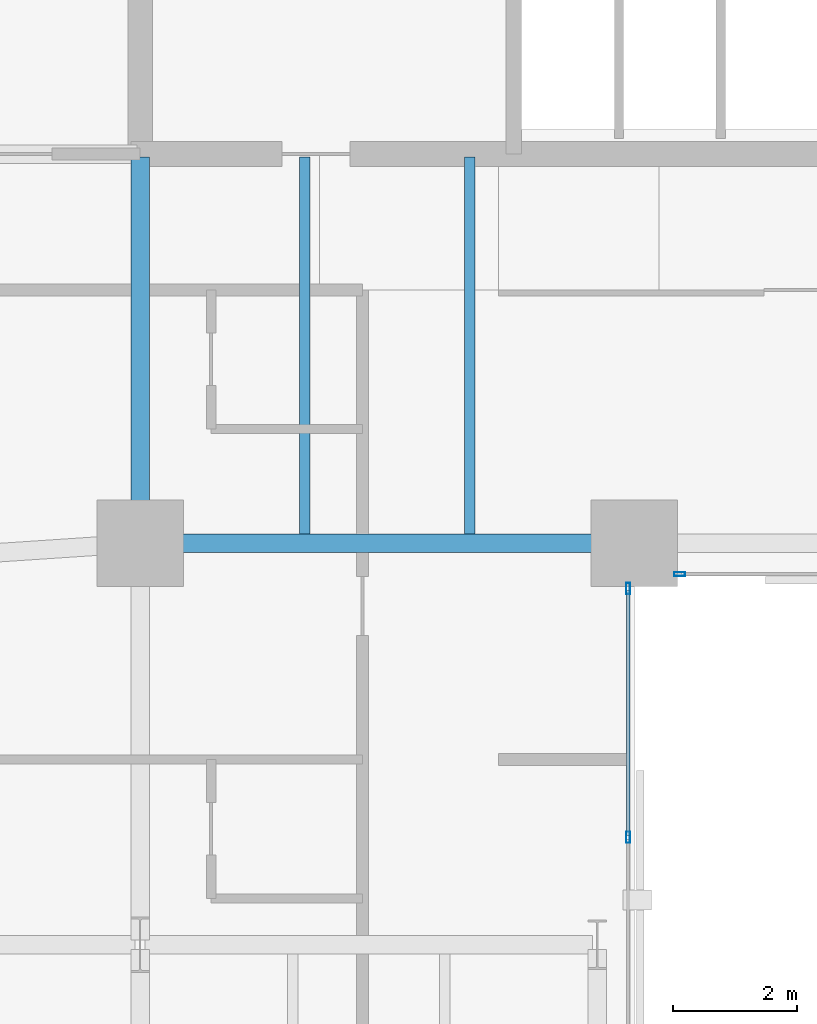
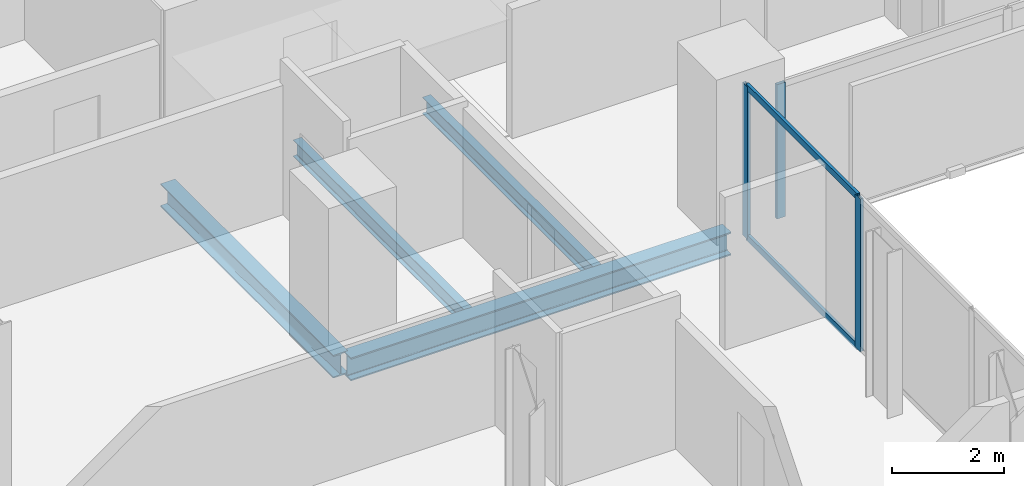
# One storey, part 13 of 33: 5 members, 4 beams, 2 elements without a shape of their own.
"""IFC4 building model written with IfcOpenShell, lengths in metres."""

from ifc_helpers import new_model, si_unit, direction, frame, origin, origin_2d, place, context, subcontext, project, spatial, hollow_rectangle, i_section, extrude, material, layer, layer_set, material_profile, profile_set, type_object, element, aggregate, save


model = new_model("IFC4")

# Units and contexts
model_context = context("Model", 3, precision=1e-05, world=origin(), true_north=direction((0.0, 1.0)))
body_context = subcontext(model_context, "Body", "Model", "MODEL_VIEW")
ifc_project = project(units=[si_unit("LENGTHUNIT", "METRE"), si_unit("AREAUNIT", "SQUARE_METRE"), si_unit("VOLUMEUNIT", "CUBIC_METRE"), si_unit("PLANEANGLEUNIT", "RADIAN"), si_unit("MASSUNIT", "GRAM", prefix="KILO")], contexts=[model_context])

# Site, building, storey
site_placement = place(None, origin())
site = spatial("IfcSite", under=ifc_project, at=site_placement, CompositionType="ELEMENT")
building_placement = place(site_placement, origin())
building = spatial("IfcBuilding", under=site, at=building_placement, Name="Catumbela Crestline Tower", CompositionType="ELEMENT")
storey_placement = place(building_placement, frame((0.0, 0.0, 51.0)))
storey = spatial("IfcBuildingStorey", under=building, at=storey_placement, Name="L12", CompositionType="ELEMENT", Elevation=51.0)

# Beams
ifc_material_1 = material(Name="Structural steel S355J2", Category="steel")
ifc_material_profile_1 = material_profile(ifc_material_1, i_section(OverallWidth=0.3, OverallDepth=0.5, WebThickness=0.0145, FlangeThickness=0.028, FilletRadius=0.027, at=origin_2d()), Name="HEB 500")
ifc_profile_set_1 = profile_set([ifc_material_profile_1], Name="Structural steel S355J2")
beam_type_1 = type_object("IfcBeamType", Name="BG-HEB500", PredefinedType="BEAM", material=ifc_profile_set_1)
beam_1_placement = place(storey_placement, frame((16.08, 24.5, -0.51), z_axis=(1.0, 0.0, 0.0), x_axis=(0.0, 1.0, 0.0)))
element("IfcBeam", 1, at=beam_1_placement, inside=storey, type_object=beam_type_1, Name="L12 Beam BM-L12-S04", PredefinedType="BEAM", context=body_context, shape_type="SweptSolid", body=[
    extrude(i_section(OverallWidth=0.3, OverallDepth=0.5, WebThickness=0.0145, FlangeThickness=0.028, FilletRadius=0.027, at=origin_2d()), origin(), (0.0, 0.0, 1.0), 7.84),
])
beam_2_placement = place(storey_placement, frame((16.0, 24.58, -0.51), z_axis=(0.0, 1.0, 0.0), x_axis=(-1.0, 0.0, 0.0)))
element("IfcBeam", 2, at=beam_2_placement, inside=storey, type_object=beam_type_1, Name="L12 Beam BM-L12-SNS31", PredefinedType="BEAM", context=body_context, shape_type="SweptSolid", body=[
    extrude(i_section(OverallWidth=0.3, OverallDepth=0.5, WebThickness=0.0145, FlangeThickness=0.028, FilletRadius=0.027, at=origin_2d()), origin(), (0.0, 0.0, 1.0), 6.17),
])
ifc_material_profile_2 = material_profile(ifc_material_1, i_section(OverallWidth=0.17, OverallDepth=0.36, WebThickness=0.008, FlangeThickness=0.0127, FilletRadius=0.018, at=origin_2d()), Name="IPE 360")
ifc_profile_set_2 = profile_set([ifc_material_profile_2], Name="Structural steel S355J2")
beam_type_2 = type_object("IfcBeamType", Name="BJ-IPE360", PredefinedType="JOIST", material=ifc_profile_set_2)
for number, where, z_axis, x_axis, name in (
    (3, (18.667, 24.647, -0.44), (0.0, 1.0, 0.0), (-1.0, 0.0, 0.0), "L12 Joist JS-L12-SP42"),
    (4, (21.333, 24.647, -0.44), (0.0, 1.0, 0.0), (-1.0, 0.0, 0.0), "L12 Joist JS-L12-SP43"),
):
    element("IfcBeam", number, at=place(storey_placement, frame(where, z_axis=z_axis, x_axis=x_axis)), inside=storey, type_object=beam_type_2, Name=name, PredefinedType="JOIST", context=body_context, shape_type="SweptSolid", body=[
        extrude(i_section(OverallWidth=0.17, OverallDepth=0.36, WebThickness=0.008, FlangeThickness=0.0127, FilletRadius=0.018, at=origin_2d()), origin(), (0.0, 0.0, 1.0), 6.103),
    ])

# Curtain wall, members
ifc_material_2 = material(Name="Aluminium alloy AW-6060-T66", Category="aluminium")
ifc_layer = layer(ifc_material_2, 0.18, Name="Aluminium alloy AW-6060-T66")
ifc_layer_set = layer_set([ifc_layer], Name="Aluminium alloy AW-6060-T66")
curtain_wall_type = type_object("IfcCurtainWallType", Name="CWU-Z1", PredefinedType="USERDEFINED", material=ifc_layer_set)
curtain_wall_1_placement = place(storey_placement, origin())
curtain_wall_1 = element("IfcCurtainWall", 5, at=curtain_wall_1_placement, inside=storey, type_object=curtain_wall_type, Name="L12 Unitised Curtain Wall CW-L12-E2S1", ObjectType="UNITISED", PredefinedType="USERDEFINED")
ifc_material_profile_3 = material_profile(ifc_material_2, hollow_rectangle(XDim=0.065, YDim=0.18, WallThickness=0.004, at=origin_2d()), Name="ALU 180x65x4")
ifc_profile_set_3 = profile_set([ifc_material_profile_3], Name="Aluminium alloy AW-6060-T66")
member_type_1 = type_object("IfcMemberType", Name="MUL-180X65", PredefinedType="MULLION", material=ifc_profile_set_3)
member_1_placement = place(storey_placement, frame((23.9, 19.74, 0.0), z_axis=(0.0, 0.0, 1.0), x_axis=(-1.0, 0.0, 0.0)))
member_1 = element("IfcMember", 6, at=member_1_placement, type_object=member_type_1, Name="CWU-Z1 mullion 5", PredefinedType="MULLION", context=body_context, shape_type="SweptSolid", body=[
    extrude(hollow_rectangle(XDim=0.065, YDim=0.18, WallThickness=0.004, at=origin_2d()), origin(), (0.0, 0.0, 1.0), 3.33),
])
member_2_placement = place(storey_placement, frame((23.9, 23.7675, 0.0), z_axis=(0.0, 0.0, 1.0), x_axis=(-1.0, 0.0, 0.0)))
member_2 = element("IfcMember", 7, at=member_2_placement, type_object=member_type_1, Name="CWU-Z1 mullion 6", PredefinedType="MULLION", context=body_context, shape_type="SweptSolid", body=[
    extrude(hollow_rectangle(XDim=0.065, YDim=0.18, WallThickness=0.004, at=origin_2d()), origin(), (0.0, 0.0, 1.0), 3.33),
])

# Curtain wall, member
curtain_wall_2_placement = place(storey_placement, origin())
curtain_wall_2 = element("IfcCurtainWall", 8, at=curtain_wall_2_placement, inside=storey, type_object=curtain_wall_type, Name="L12 Unitised Curtain Wall CW-L12-E3S1", ObjectType="UNITISED", PredefinedType="USERDEFINED")
member_3_placement = place(storey_placement, frame((24.7325, 24.0, 0.0), z_axis=(0.0, 0.0, 1.0), x_axis=(0.0, 1.0, 0.0)))
member_3 = element("IfcMember", 9, at=member_3_placement, type_object=member_type_1, Name="CWU-Z1 mullion 1", PredefinedType="MULLION", context=body_context, shape_type="SweptSolid", body=[
    extrude(hollow_rectangle(XDim=0.065, YDim=0.18, WallThickness=0.004, at=origin_2d()), origin(), (0.0, 0.0, 1.0), 2.93),
])
aggregate(curtain_wall_2, [member_3])

# Member
ifc_material_profile_4 = material_profile(ifc_material_2, hollow_rectangle(XDim=0.06, YDim=0.14, WallThickness=0.004, at=origin_2d()), Name="ALU 140x60x4")
ifc_profile_set_4 = profile_set([ifc_material_profile_4], Name="Aluminium alloy AW-6060-T66")
member_type_2 = type_object("IfcMemberType", Name="TRN-140X60", PredefinedType="USERDEFINED", material=ifc_profile_set_4)
member_4_placement = place(storey_placement, frame((23.9, 19.7725, 0.03), z_axis=(0.0, 1.0, 0.0), x_axis=(-1.0, 0.0, 0.0)))
member_4 = element("IfcMember", 10, at=member_4_placement, type_object=member_type_2, Name="CWU-Z1 transom 5.1", ObjectType="TRANSOM", PredefinedType="USERDEFINED", context=body_context, shape_type="SweptSolid", body=[
    extrude(hollow_rectangle(XDim=0.06, YDim=0.14, WallThickness=0.004, at=origin_2d()), origin(), (0.0, 0.0, 1.0), 3.9625),
])

member_5_placement = place(storey_placement, frame((23.9, 19.7725, 3.3), z_axis=(0.0, 1.0, 0.0), x_axis=(-1.0, 0.0, 0.0)))
member_5 = element("IfcMember", 11, at=member_5_placement, type_object=member_type_2, Name="CWU-Z1 transom 5.2", ObjectType="TRANSOM", PredefinedType="USERDEFINED", context=body_context, shape_type="SweptSolid", body=[
    extrude(hollow_rectangle(XDim=0.06, YDim=0.14, WallThickness=0.004, at=origin_2d()), origin(), (0.0, 0.0, 1.0), 3.9625),
])

aggregate(curtain_wall_1, [member_1, member_2, member_4, member_5])

save(model, "model.ifc")
